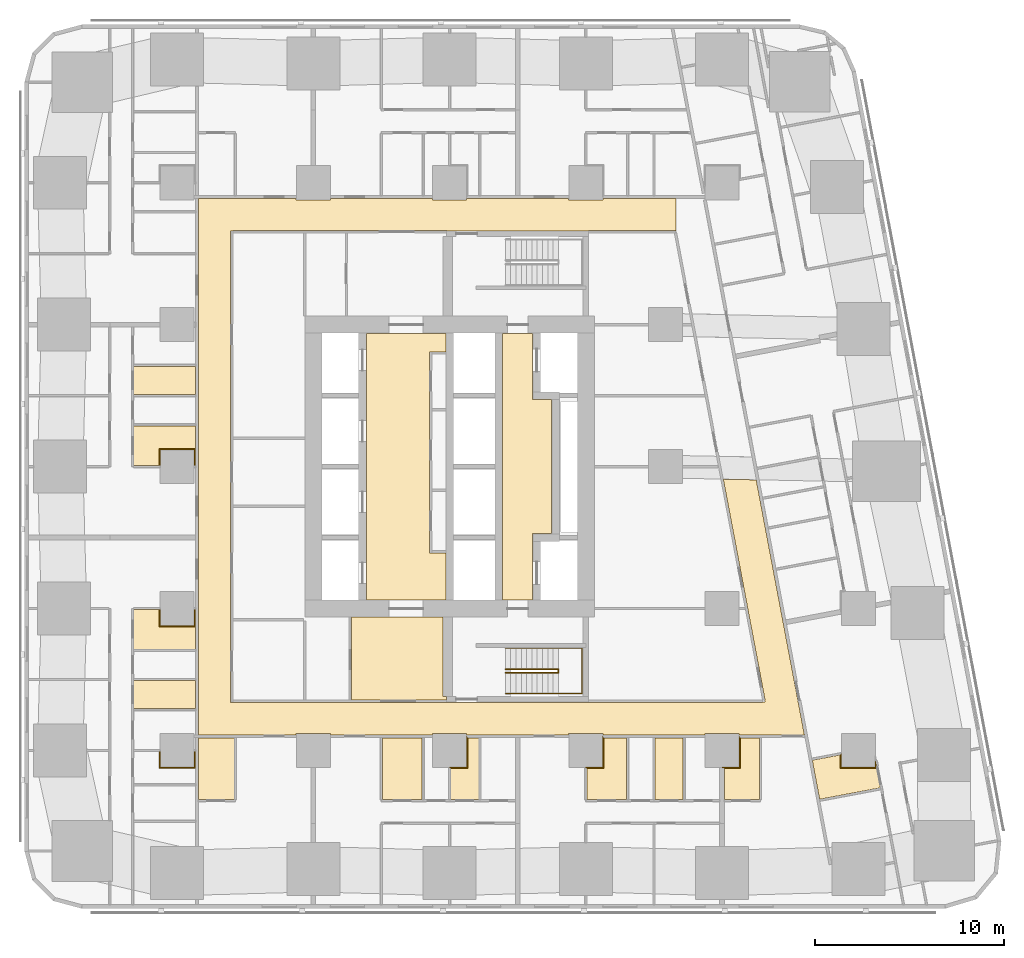
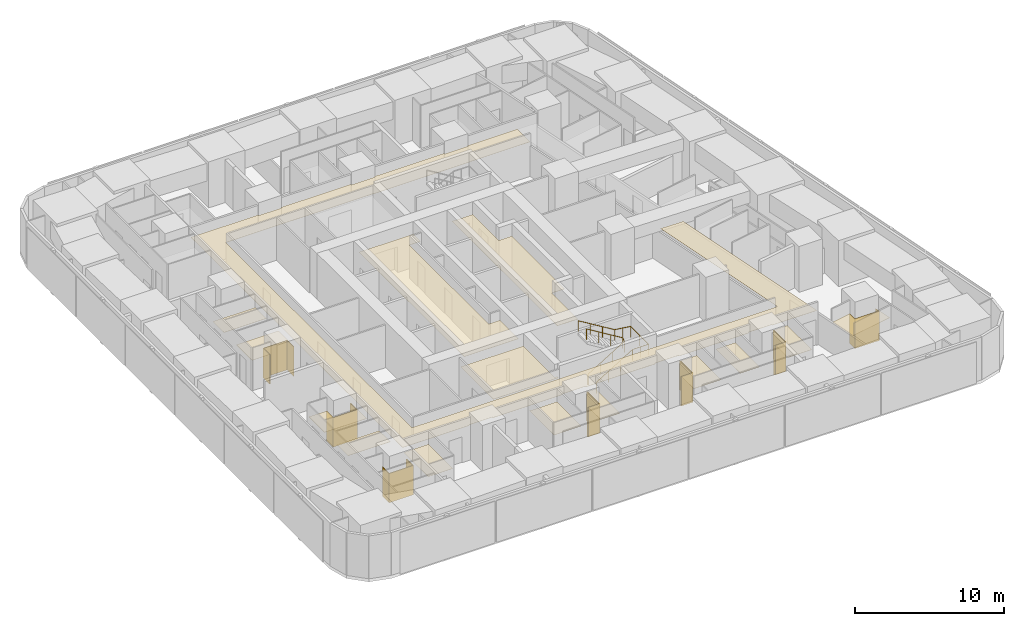
# One storey, part 16 of 18: 22 coverings, 2 railings.
"""IFC4 building model written with IfcOpenShell, lengths in metres."""

from ifc_helpers import new_model, si_unit, direction, frame, origin, origin_2d, place, context, subcontext, project, spatial, polyline, circle, outline, extrude, material, layer, layer_set, type_object, element, save


model = new_model("IFC4")

# Units and contexts
model_context = context("Model", 3, precision=1e-05, world=origin(), true_north=direction((0.0, 1.0)))
body_context = subcontext(model_context, "Body", "Model", "MODEL_VIEW")
ifc_project = project(units=[si_unit("LENGTHUNIT", "METRE"), si_unit("AREAUNIT", "SQUARE_METRE"), si_unit("VOLUMEUNIT", "CUBIC_METRE"), si_unit("PLANEANGLEUNIT", "RADIAN"), si_unit("MASSUNIT", "GRAM", prefix="KILO")], contexts=[model_context])

# Site, building, storey
site_placement = place(None, origin())
site = spatial("IfcSite", under=ifc_project, at=site_placement, CompositionType="ELEMENT")
building_placement = place(site_placement, origin())
building = spatial("IfcBuilding", under=site, at=building_placement, Name="Sheger Commons Tower", CompositionType="ELEMENT")
storey_placement = place(building_placement, frame((0.0, 0.0, 31.25)))
storey = spatial("IfcBuildingStorey", under=building, at=storey_placement, Name="L07", CompositionType="ELEMENT", Elevation=31.25)

# Railings
ifc_material_1 = material(Name="Steel handrail, black powder-coated", Category="steel")
railing_type = type_object("IfcRailingType", Name="HANDRAIL 900", PredefinedType="HANDRAIL", material=ifc_material_1)
railing_1_placement = place(storey_placement, frame((24.550048828125, 11.60009765625, 0.17041015625)))
element("IfcRailing", 1, at=railing_1_placement, inside=storey, type_object=railing_type, Name="Stair S1 handrail L07", PredefinedType="HANDRAIL", context=body_context, shape_type="SweptSolid", body=[
    extrude(circle(Radius=0.02392578125, at=origin_2d()), frame((0.0, 0.0, 0.8759765625), z_axis=(0.854169791009, 0.0, 0.51999420009), x_axis=(0.0, 1.0, 0.0)), (0.0, 0.0, 1.0), 3.278076171875),
    extrude(circle(Radius=0.02392578125, at=origin_2d()), frame((2.800048828125, 0.0, 2.58056640625), z_axis=(0.0, 0.761090297175, 0.648645943136), x_axis=(-1.0, 0.0, 0.0)), (0.0, 0.0, 1.0), 0.2626953125),
    extrude(circle(Radius=0.02392578125, at=origin_2d()), frame((2.800048828125, 0.199951171875, 2.7509765625), z_axis=(-0.854169791009, 0.0, 0.51999420009), x_axis=(0.0, -1.0, 0.0)), (0.0, 0.0, 1.0), 3.278076171875),
    extrude(circle(Radius=0.02099609375, at=origin_2d()), origin(), (0.0, 0.0, 1.0), 0.851806640625),
    extrude(circle(Radius=0.02099609375, at=origin_2d()), frame((0.933349609375, 0.0, 0.568115234375)), (0.0, 0.0, 1.0), 0.851806640625),
    extrude(circle(Radius=0.02099609375, at=origin_2d()), frame((1.86669921875, 0.0, 1.136474609375)), (0.0, 0.0, 1.0), 0.851806640625),
    extrude(circle(Radius=0.02099609375, at=origin_2d()), frame((2.800048828125, 0.0, 1.70458984375)), (0.0, 0.0, 1.0), 0.851806640625),
    extrude(circle(Radius=0.02099609375, at=origin_2d()), frame((2.800048828125, 0.199951171875, 1.875)), (0.0, 0.0, 1.0), 0.851806640625),
    extrude(circle(Radius=0.02099609375, at=origin_2d()), frame((1.86669921875, 0.199951171875, 2.443115234375)), (0.0, 0.0, 1.0), 0.851806640625),
    extrude(circle(Radius=0.02099609375, at=origin_2d()), frame((0.933349609375, 0.199951171875, 3.011474609375)), (0.0, 0.0, 1.0), 0.851806640625),
    extrude(circle(Radius=0.02099609375, at=origin_2d()), frame((0.0, 0.199951171875, 3.57958984375)), (0.0, 0.0, 1.0), 0.851806640625),
])
railing_2_placement = place(storey_placement, frame((24.550048828125, 10.5, 0.17041015625)))
element("IfcRailing", 2, at=railing_2_placement, inside=storey, type_object=railing_type, Name="Stair S1 handrail L07", PredefinedType="HANDRAIL", context=body_context, shape_type="SweptSolid", body=[
    extrude(circle(Radius=0.02392578125, at=origin_2d()), frame((0.0, 0.0, 0.8759765625), z_axis=(0.854169791009, 0.0, 0.51999420009), x_axis=(0.0, 1.0, 0.0)), (0.0, 0.0, 1.0), 3.278076171875),
    extrude(circle(Radius=0.02392578125, at=origin_2d()), frame((2.800048828125, 0.0, 2.58056640625), z_axis=(1.0, 0.0, 0.0), x_axis=(0.0, 1.0, 0.0)), (0.0, 0.0, 1.0), 1.25),
    extrude(circle(Radius=0.02392578125, at=origin_2d()), frame((4.050048828125, 0.0, 2.58056640625), z_axis=(0.0, 1.0, 0.0), x_axis=(-1.0, 0.0, 0.0)), (0.0, 0.0, 1.0), 2.39990234375),
    extrude(circle(Radius=0.02392578125, at=origin_2d()), frame((4.050048828125, 2.39990234375, 2.58056640625), z_axis=(-0.990834877927, 0.0, 0.135078661092), x_axis=(0.0, -1.0, 0.0)), (0.0, 0.0, 1.0), 1.261474609375),
    extrude(circle(Radius=0.02392578125, at=origin_2d()), frame((2.800048828125, 2.39990234375, 2.7509765625), z_axis=(-0.854169791009, 0.0, 0.51999420009), x_axis=(0.0, -1.0, 0.0)), (0.0, 0.0, 1.0), 3.278076171875),
    extrude(circle(Radius=0.02099609375, at=origin_2d()), origin(), (0.0, 0.0, 1.0), 0.851806640625),
    extrude(circle(Radius=0.02099609375, at=origin_2d()), frame((0.933349609375, 0.0, 0.568115234375)), (0.0, 0.0, 1.0), 0.851806640625),
    extrude(circle(Radius=0.02099609375, at=origin_2d()), frame((1.86669921875, 0.0, 1.136474609375)), (0.0, 0.0, 1.0), 0.851806640625),
    extrude(circle(Radius=0.02099609375, at=origin_2d()), frame((2.800048828125, 0.0, 1.70458984375)), (0.0, 0.0, 1.0), 0.851806640625),
    extrude(circle(Radius=0.02099609375, at=origin_2d()), frame((3.425048828125, 0.0, 1.70458984375)), (0.0, 0.0, 1.0), 0.851806640625),
    extrude(circle(Radius=0.02099609375, at=origin_2d()), frame((4.050048828125, 0.0, 1.70458984375)), (0.0, 0.0, 1.0), 0.851806640625),
    extrude(circle(Radius=0.02099609375, at=origin_2d()), frame((4.050048828125, 1.199951171875, 1.70458984375)), (0.0, 0.0, 1.0), 0.851806640625),
    extrude(circle(Radius=0.02099609375, at=origin_2d()), frame((4.050048828125, 2.39990234375, 1.70458984375)), (0.0, 0.0, 1.0), 0.851806640625),
    extrude(circle(Radius=0.02099609375, at=origin_2d()), frame((3.425048828125, 2.39990234375, 1.789794921875)), (0.0, 0.0, 1.0), 0.851806640625),
    extrude(circle(Radius=0.02099609375, at=origin_2d()), frame((2.800048828125, 2.39990234375, 1.875)), (0.0, 0.0, 1.0), 0.851806640625),
    extrude(circle(Radius=0.02099609375, at=origin_2d()), frame((1.86669921875, 2.39990234375, 2.443115234375)), (0.0, 0.0, 1.0), 0.851806640625),
    extrude(circle(Radius=0.02099609375, at=origin_2d()), frame((0.933349609375, 2.39990234375, 3.011474609375)), (0.0, 0.0, 1.0), 0.851806640625),
    extrude(circle(Radius=0.02099609375, at=origin_2d()), frame((0.0, 2.39990234375, 3.57958984375)), (0.0, 0.0, 1.0), 0.851806640625),
])

# Coverings
ifc_material_2 = material(Name="Moisture-resistant gypsum plasterboard 15 mm on a suspended galvanised steel grid", Category="steel")
ifc_layer_1 = layer(ifc_material_2, 0.014892578125)
ifc_layer_set_1 = layer_set([ifc_layer_1], Name="MOISTURE-RESISTANT CEILING 15")
covering_type_1 = type_object("IfcCoveringType", Name="MOISTURE-RESISTANT CEILING 15", PredefinedType="CEILING", material=ifc_layer_set_1)
covering_1_placement = place(storey_placement, frame((0.0, 0.0, 2.39990234375)))
element("IfcCovering", 3, at=covering_1_placement, inside=storey, type_object=covering_type_1, Name="L07-01.B1 ceiling", PredefinedType="CEILING", context=body_context, shape_type="SweptSolid", body=[
    extrude(outline(polyline([(4.905029296875, 12.844970703125), (8.169921875, 12.844970703125), (8.169921875, 14.945068359375), (8.10498046875, 14.945068359375), (8.10498046875, 14.094970703125), (6.294921875, 14.094970703125), (6.294921875, 14.945068359375), (4.905029296875, 14.945068359375), (4.905029296875, 12.844970703125)])), origin(), (0.0, 0.0, 1.0), 0.01513671875),
])
covering_2_placement = place(storey_placement, frame((0.0, 0.0, 2.39990234375)))
element("IfcCovering", 4, at=covering_2_placement, inside=storey, type_object=covering_type_1, Name="L07-01.B2 ceiling", PredefinedType="CEILING", context=body_context, shape_type="SweptSolid", body=[
    extrude(outline(polyline([(4.905029296875, 9.705078125), (8.169921875, 9.705078125), (8.169921875, 11.195068359375), (4.905029296875, 11.195068359375), (4.905029296875, 9.705078125)])), origin(), (0.0, 0.0, 1.0), 0.01513671875),
])
covering_3_placement = place(storey_placement, frame((0.0, 0.0, 2.39990234375)))
element("IfcCovering", 5, at=covering_3_placement, inside=storey, type_object=covering_type_1, Name="L07-02.B1 ceiling", PredefinedType="CEILING", context=body_context, shape_type="SweptSolid", body=[
    extrude(outline(polyline([(4.905029296875, 22.554931640625), (6.294921875, 22.554931640625), (6.294921875, 23.405029296875), (8.10498046875, 23.405029296875), (8.10498046875, 22.554931640625), (8.169921875, 22.554931640625), (8.169921875, 24.655029296875), (4.905029296875, 24.655029296875), (4.905029296875, 22.554931640625)])), origin(), (0.0, 0.0, 1.0), 0.01513671875),
])
covering_4_placement = place(storey_placement, frame((0.0, 0.0, 2.39990234375)))
element("IfcCovering", 6, at=covering_4_placement, inside=storey, type_object=covering_type_1, Name="L07-02.B2 ceiling", PredefinedType="CEILING", context=body_context, shape_type="SweptSolid", body=[
    extrude(outline(polyline([(4.905029296875, 26.304931640625), (8.169921875, 26.304931640625), (8.169921875, 27.794921875), (4.905029296875, 27.794921875), (4.905029296875, 26.304931640625)])), origin(), (0.0, 0.0, 1.0), 0.01513671875),
])
covering_5_placement = place(storey_placement, frame((0.0, 0.0, 2.39990234375)))
element("IfcCovering", 7, at=covering_5_placement, inside=storey, type_object=covering_type_1, Name="L07-04.B1 ceiling", PredefinedType="CEILING", context=body_context, shape_type="SweptSolid", body=[
    extrude(outline(polyline([(8.330078125, 4.905029296875), (10.22412109375, 4.905029296875), (10.22412109375, 8.169921875), (8.330078125, 8.169921875), (8.330078125, 4.905029296875)])), origin(), (0.0, 0.0, 1.0), 0.01513671875),
])
covering_6_placement = place(storey_placement, frame((0.0, 0.0, 2.39990234375)))
element("IfcCovering", 8, at=covering_6_placement, inside=storey, type_object=covering_type_1, Name="L07-05.B1 ceiling", PredefinedType="CEILING", context=body_context, shape_type="SweptSolid", body=[
    extrude(outline(polyline([(18.054931640625, 4.905029296875), (20.155029296875, 4.905029296875), (20.155029296875, 8.169921875), (18.054931640625, 8.169921875), (18.054931640625, 4.905029296875)])), origin(), (0.0, 0.0, 1.0), 0.01513671875),
])
covering_7_placement = place(storey_placement, frame((0.0, 0.0, 2.39990234375)))
element("IfcCovering", 9, at=covering_7_placement, inside=storey, type_object=covering_type_1, Name="L07-05.B2 ceiling", PredefinedType="CEILING", context=body_context, shape_type="SweptSolid", body=[
    extrude(outline(polyline([(21.655029296875, 4.905029296875), (23.14501953125, 4.905029296875), (23.14501953125, 8.169921875), (22.5048828125, 8.169921875), (22.5048828125, 6.594970703125), (21.655029296875, 6.594970703125), (21.655029296875, 4.905029296875)])), origin(), (0.0, 0.0, 1.0), 0.01513671875),
])
covering_8_placement = place(storey_placement, frame((0.0, 0.0, 2.39990234375)))
element("IfcCovering", 10, at=covering_8_placement, inside=storey, type_object=covering_type_1, Name="L07-06.B1 ceiling", PredefinedType="CEILING", context=body_context, shape_type="SweptSolid", body=[
    extrude(outline(polyline([(28.85498046875, 4.905029296875), (30.955078125, 4.905029296875), (30.955078125, 8.169921875), (29.705078125, 8.169921875), (29.705078125, 6.594970703125), (28.85498046875, 6.594970703125), (28.85498046875, 4.905029296875)])), origin(), (0.0, 0.0, 1.0), 0.01513671875),
])
covering_9_placement = place(storey_placement, frame((0.0, 0.0, 2.39990234375)))
element("IfcCovering", 11, at=covering_9_placement, inside=storey, type_object=covering_type_1, Name="L07-06.B2 ceiling", PredefinedType="CEILING", context=body_context, shape_type="SweptSolid", body=[
    extrude(outline(polyline([(32.455078125, 4.905029296875), (33.945068359375, 4.905029296875), (33.945068359375, 8.169921875), (32.455078125, 8.169921875), (32.455078125, 4.905029296875)])), origin(), (0.0, 0.0, 1.0), 0.01513671875),
])
covering_10_placement = place(storey_placement, frame((0.0, 0.0, 2.39990234375)))
element("IfcCovering", 12, at=covering_10_placement, inside=storey, type_object=covering_type_1, Name="L07-07.B1 ceiling", PredefinedType="CEILING", context=body_context, shape_type="SweptSolid", body=[
    extrude(outline(polyline([(36.1298828125, 4.905029296875), (37.97412109375, 4.905029296875), (37.97412109375, 8.169921875), (36.905029296875, 8.169921875), (36.905029296875, 6.594970703125), (36.1298828125, 6.594970703125), (36.1298828125, 4.905029296875)])), origin(), (0.0, 0.0, 1.0), 0.01513671875),
])
covering_11_placement = place(storey_placement, frame((0.0, 0.0, 2.39990234375)))
element("IfcCovering", 13, at=covering_11_placement, inside=storey, type_object=covering_type_1, Name="L07-10.B1 ceiling", PredefinedType="CEILING", context=body_context, shape_type="SweptSolid", body=[
    extrude(outline(polyline([(41.156005859375, 4.9208984375), (44.364013671875, 5.527099609375), (44.10693359375, 6.885009765625), (44.10498046875, 6.885009765625), (44.10498046875, 6.594970703125), (42.294921875, 6.594970703125), (42.294921875, 7.27392578125), (40.76611328125, 6.985107421875), (41.156005859375, 4.9208984375)])), origin(), (0.0, 0.0, 1.0), 0.01513671875),
])
ifc_material_3 = material(Name="Gypsum plasterboard 15 mm on a suspended steel grid", Category="steel")
ifc_layer_2 = layer(ifc_material_3, 0.014892578125)
ifc_layer_set_2 = layer_set([ifc_layer_2], Name="SUSPENDED CEILING 15")
covering_type_2 = type_object("IfcCoveringType", Name="SUSPENDED CEILING 15", PredefinedType="CEILING", material=ifc_layer_set_2)
covering_12_placement = place(storey_placement, frame((0.0, 0.0, 2.699951171875)))
element("IfcCovering", 14, at=covering_12_placement, inside=storey, type_object=covering_type_2, Name="L07-CO ceiling", PredefinedType="CEILING", context=body_context, shape_type="SweptSolid", body=[
    extrude(outline(polyline([(8.330078125, 8.330078125), (13.4951171875, 8.330078125), (13.4951171875, 8.405029296875), (15.304931640625, 8.405029296875), (15.304931640625, 8.330078125), (20.695068359375, 8.330078125), (20.695068359375, 8.405029296875), (22.5048828125, 8.405029296875), (22.5048828125, 8.330078125), (27.89501953125, 8.330078125), (27.89501953125, 8.405029296875), (29.705078125, 8.405029296875), (29.705078125, 8.330078125), (35.094970703125, 8.330078125), (35.094970703125, 8.405029296875), (36.905029296875, 8.405029296875), (36.905029296875, 8.330078125), (40.34912109375, 8.330078125), (37.804931640625, 21.798095703125), (36.06591796875, 21.8330078125), (38.26904296875, 10.1708984375), (38.251953125, 10.1669921875), (38.27392578125, 10.050048828125), (38.14306640625, 10.050048828125), (38.14306640625, 10.031982421875), (28.945068359375, 10.031982421875), (28.945068359375, 10.044921875), (21.455078125, 10.044921875), (21.455078125, 10.031982421875), (10.157958984375, 10.031982421875), (10.157958984375, 10.044921875), (10.031982421875, 10.044921875), (10.031982421875, 34.955078125), (10.157958984375, 34.955078125), (10.157958984375, 34.968017578125), (21.455078125, 34.968017578125), (21.455078125, 34.949951171875), (28.945068359375, 34.949951171875), (28.945068359375, 34.968017578125), (33.54296875, 34.968017578125), (33.54296875, 34.949951171875), (33.568115234375, 34.949951171875), (33.568115234375, 36.669921875), (29.705078125, 36.669921875), (29.705078125, 36.594970703125), (27.89501953125, 36.594970703125), (27.89501953125, 36.669921875), (22.5048828125, 36.669921875), (22.5048828125, 36.594970703125), (20.695068359375, 36.594970703125), (20.695068359375, 36.669921875), (15.304931640625, 36.669921875), (15.304931640625, 36.594970703125), (13.4951171875, 36.594970703125), (13.4951171875, 36.669921875), (8.330078125, 36.669921875), (8.330078125, 8.330078125)])), origin(), (0.0, 0.0, 1.0), 0.01513671875),
])
covering_13_placement = place(storey_placement, frame((0.0, 0.0, 2.699951171875)))
element("IfcCovering", 15, at=covering_13_placement, inside=storey, type_object=covering_type_2, Name="L07-SVS1 ceiling", PredefinedType="CEILING", context=body_context, shape_type="SweptSolid", body=[
    extrude(outline(polyline([(16.406982421875, 10.16796875), (21.445068359375, 10.16796875), (21.445068359375, 10.344970703125), (21.2451171875, 10.344970703125), (21.2451171875, 14.544921875), (16.406982421875, 14.544921875), (16.406982421875, 10.16796875)])), origin(), (0.0, 0.0, 1.0), 0.01513671875),
])
covering_14_placement = place(storey_placement, frame((0.0, 0.0, 2.699951171875)))
element("IfcCovering", 16, at=covering_14_placement, inside=storey, type_object=covering_type_2, Name="L07-LL ceiling", PredefinedType="CEILING", context=body_context, shape_type="SweptSolid", body=[
    extrude(outline(polyline([(17.205078125, 15.455078125), (21.39990234375, 15.455078125), (21.39990234375, 17.93310546875), (20.657958984375, 17.93310546875), (20.532958984375, 17.93310546875), (20.532958984375, 28.56689453125), (20.657958984375, 28.56689453125), (21.39990234375, 28.56689453125), (21.39990234375, 29.544921875), (17.205078125, 29.544921875), (17.205078125, 15.455078125)])), origin(), (0.0, 0.0, 1.0), 0.01513671875),
])
covering_15_placement = place(storey_placement, frame((0.0, 0.0, 2.699951171875)))
element("IfcCovering", 17, at=covering_15_placement, inside=storey, type_object=covering_type_2, Name="L07-FL ceiling", PredefinedType="CEILING", context=body_context, shape_type="SweptSolid", body=[
    extrude(outline(polyline([(24.405029296875, 15.455078125), (25.9951171875, 15.455078125), (25.9951171875, 18.955078125), (26.9951171875, 18.955078125), (26.9951171875, 26.044921875), (25.9951171875, 26.044921875), (25.9951171875, 29.544921875), (24.405029296875, 29.544921875), (24.405029296875, 15.455078125)])), origin(), (0.0, 0.0, 1.0), 0.01513671875),
])
ifc_material_4 = material(Name="Moisture-resistant gypsum board 12.5 mm on 25 mm treated timber battens, tanked and tiled", Category="wood")
ifc_layer_3 = layer(ifc_material_4, 0.050048828125)
ifc_layer_set_3 = layer_set([ifc_layer_3], Name="WET-ROOM COLUMN LINING")
covering_type_3 = type_object("IfcCoveringType", Name="WET-ROOM COLUMN LINING", PredefinedType="CLADDING", material=ifc_layer_set_3)
covering_16_placement = place(storey_placement, origin())
element("IfcCovering", 18, at=covering_16_placement, inside=storey, type_object=covering_type_3, Name="Laundry room column lining C8 L07", PredefinedType="CLADDING", context=body_context, shape_type="SweptSolid", body=[
    extrude(outline(polyline([(6.300048828125, 7.5), (6.300048828125, 6.60009765625), (8.10009765625, 6.60009765625), (8.10009765625, 7.5), (8.10107421875, 7.5), (8.10107421875, 7.449951171875), (8.14990234375, 7.449951171875), (8.14990234375, 6.550048828125), (6.25, 6.550048828125), (6.25, 7.449951171875), (6.299072265625, 7.449951171875), (6.299072265625, 7.5), (6.300048828125, 7.5)])), origin(), (0.0, 0.0, 1.0), 2.39990234375),
])
covering_17_placement = place(storey_placement, origin())
element("IfcCovering", 19, at=covering_17_placement, inside=storey, type_object=covering_type_3, Name="Shower room column lining C8 L07", PredefinedType="CLADDING", context=body_context, shape_type="SweptSolid", body=[
    extrude(outline(polyline([(21.64990234375, 6.550048828125), (21.64990234375, 6.59912109375), (21.60009765625, 6.59912109375), (21.60009765625, 6.60009765625), (22.5, 6.60009765625), (22.5, 8.25), (22.5009765625, 8.25), (22.5009765625, 8.175048828125), (22.550048828125, 8.175048828125), (22.550048828125, 6.550048828125), (21.64990234375, 6.550048828125)])), origin(), (0.0, 0.0, 1.0), 2.39990234375),
])
covering_18_placement = place(storey_placement, origin())
element("IfcCovering", 20, at=covering_18_placement, inside=storey, type_object=covering_type_3, Name="Bathroom column lining C8 L07", PredefinedType="CLADDING", context=body_context, shape_type="SweptSolid", body=[
    extrude(outline(polyline([(28.85009765625, 6.550048828125), (28.85009765625, 6.59912109375), (28.800048828125, 6.59912109375), (28.800048828125, 6.60009765625), (29.699951171875, 6.60009765625), (29.699951171875, 8.25), (29.700927734375, 8.25), (29.700927734375, 8.175048828125), (29.75, 8.175048828125), (29.75, 6.550048828125), (28.85009765625, 6.550048828125)])), origin(), (0.0, 0.0, 1.0), 2.39990234375),
])
covering_19_placement = place(storey_placement, origin())
element("IfcCovering", 21, at=covering_19_placement, inside=storey, type_object=covering_type_3, Name="Shower room column lining C8 L07", PredefinedType="CLADDING", context=body_context, shape_type="SweptSolid", body=[
    extrude(outline(polyline([(36.125, 6.550048828125), (36.125, 6.59912109375), (36.0, 6.59912109375), (36.0, 6.60009765625), (36.89990234375, 6.60009765625), (36.89990234375, 8.25), (36.90087890625, 8.25), (36.90087890625, 8.175048828125), (36.949951171875, 8.175048828125), (36.949951171875, 6.550048828125), (36.125, 6.550048828125)])), origin(), (0.0, 0.0, 1.0), 2.39990234375),
])
covering_20_placement = place(storey_placement, origin())
element("IfcCovering", 22, at=covering_20_placement, inside=storey, type_object=covering_type_3, Name="Bathroom column lining C8 L07", PredefinedType="CLADDING", context=body_context, shape_type="SweptSolid", body=[
    extrude(outline(polyline([(42.300048828125, 7.3310546875), (42.300048828125, 6.60009765625), (44.10009765625, 6.60009765625), (44.10009765625, 6.949951171875), (44.14990234375, 6.68603515625), (44.14990234375, 6.550048828125), (42.25, 6.550048828125), (42.25, 7.27099609375), (42.299072265625, 7.280029296875), (42.2900390625, 7.3291015625), (42.300048828125, 7.3310546875)])), origin(), (0.0, 0.0, 1.0), 2.39990234375),
])
covering_21_placement = place(storey_placement, origin())
element("IfcCovering", 23, at=covering_21_placement, inside=storey, type_object=covering_type_3, Name="Bathroom column lining C8 L07", PredefinedType="CLADDING", context=body_context, shape_type="SweptSolid", body=[
    extrude(outline(polyline([(6.300048828125, 15.0), (6.300048828125, 14.10009765625), (8.10009765625, 14.10009765625), (8.10009765625, 15.0), (8.10107421875, 15.0), (8.10107421875, 14.949951171875), (8.14990234375, 14.949951171875), (8.14990234375, 14.050048828125), (6.25, 14.050048828125), (6.25, 14.949951171875), (6.299072265625, 14.949951171875), (6.299072265625, 15.0), (6.300048828125, 15.0)])), origin(), (0.0, 0.0, 1.0), 2.39990234375),
])
covering_22_placement = place(storey_placement, origin())
element("IfcCovering", 24, at=covering_22_placement, inside=storey, type_object=covering_type_3, Name="Bathroom column lining C8 L07", PredefinedType="CLADDING", context=body_context, shape_type="SweptSolid", body=[
    extrude(outline(polyline([(8.14990234375, 23.449951171875), (8.14990234375, 22.550048828125), (8.10107421875, 22.550048828125), (8.10107421875, 22.5), (8.10009765625, 22.5), (8.10009765625, 23.39990234375), (6.300048828125, 23.39990234375), (6.300048828125, 22.5), (6.299072265625, 22.5), (6.299072265625, 22.550048828125), (6.25, 22.550048828125), (6.25, 23.449951171875), (8.14990234375, 23.449951171875)])), origin(), (0.0, 0.0, 1.0), 2.39990234375),
])

save(model, "model.ifc")
